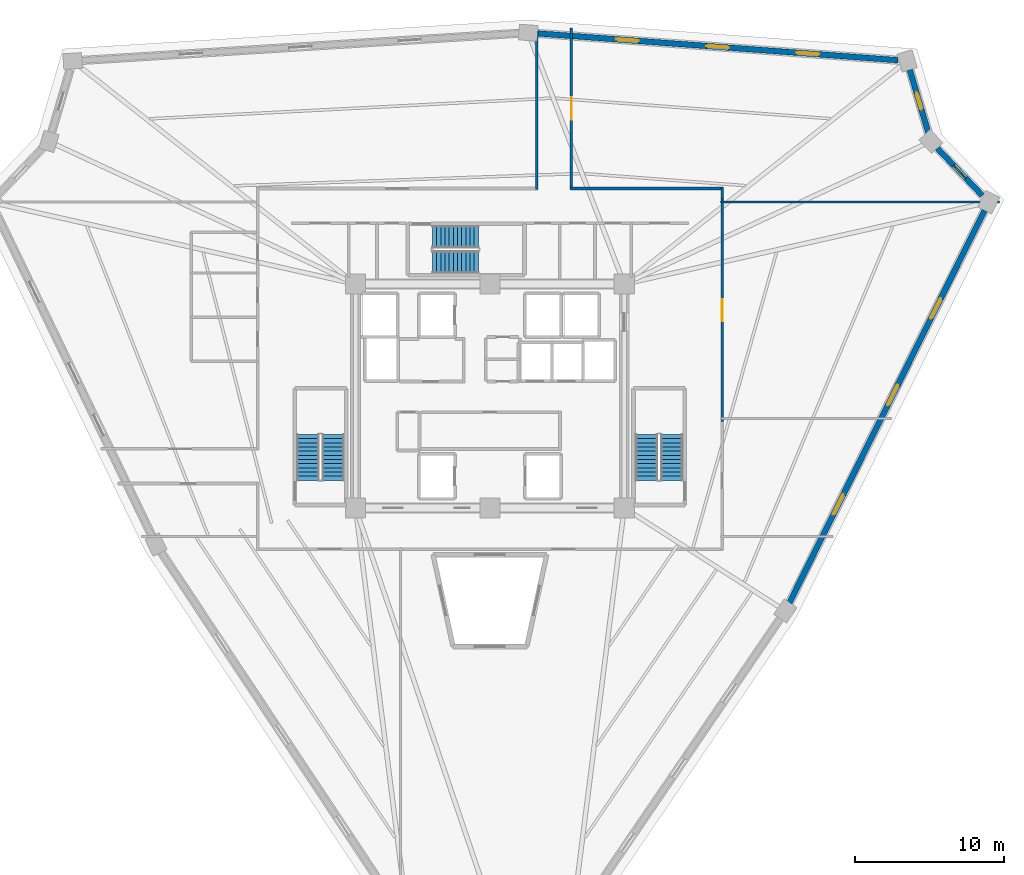
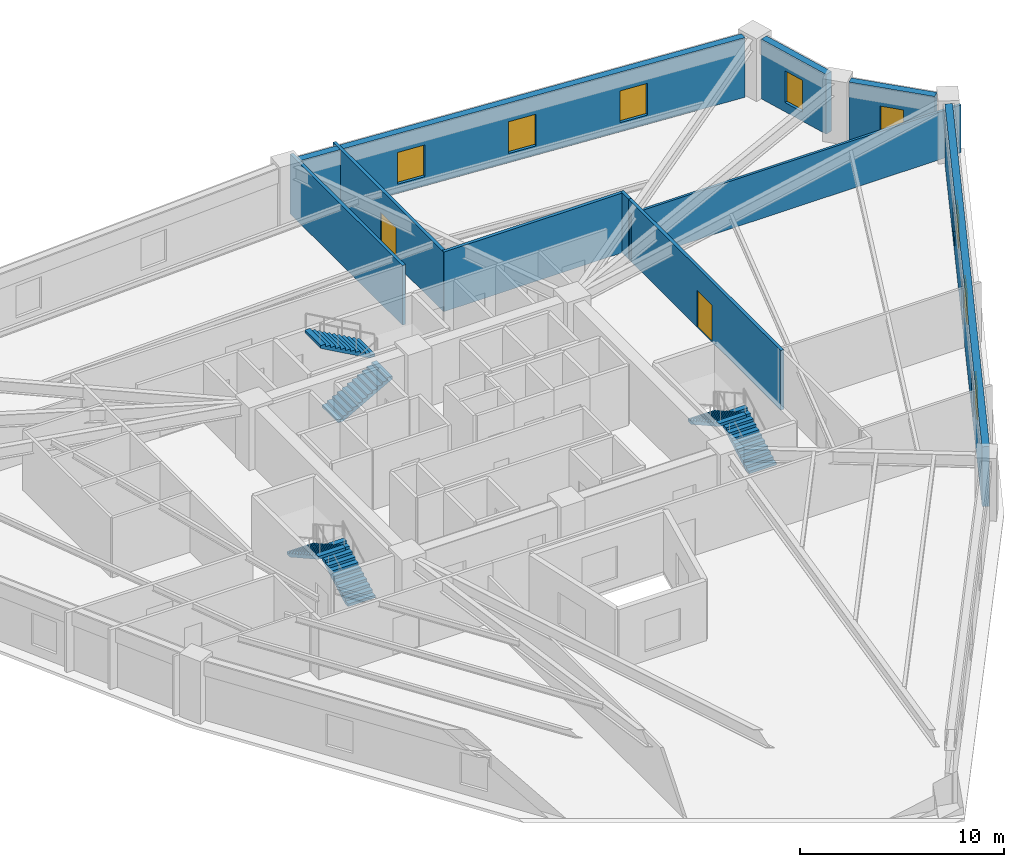
# One storey, part 7 of 8: 10 walls, 8 windows, 6 stair flights, 2 doors, 10 openings, 3 elements without a shape of their own.
"""IFC4 building model written with IfcOpenShell, lengths in metres."""

import ifcopenshell
import ifcopenshell.guid

model = None  # the IFC model being written
_history = None  # IfcOwnerHistory: only IFC2X3 demands one
_inside = {}  # id of a spatial element -> (the spatial element, [elements in it])
_under = {}  # id of a project, library or spatial element -> (it, [spatial elements below it])
_declared = {}  # id of a project -> (the project, [libraries it declares])
_typed = {}  # id of a type object -> (the type object, [elements of that type])
_made_of = {}  # id of a material, layer set ... -> (it, [elements and type objects made of it])


def new_model(schema):
    """Start an empty IFC model of exactly this schema.

    Asked for "IFC4X3", IfcOpenShell would pick the latest addendum, in which some entities
    have other attributes; the version numbers below select the first issue.
    IFC2X3 requires an IfcOwnerHistory on every rooted entity: one is made here for all.
    """
    global model, _history
    if schema == "IFC4X3":
        model = ifcopenshell.file(schema_version=(4, 3, 0, 0))
    else:
        model = ifcopenshell.file(schema=schema)
    _inside.clear()
    _under.clear()
    _declared.clear()
    _typed.clear()
    _made_of.clear()
    _history = None
    if model.schema == "IFC2X3":
        org = make("IfcOrganization", Name="unknown")
        user = make(
            "IfcPersonAndOrganization",
            ThePerson=make("IfcPerson", FamilyName="unknown"),
            TheOrganization=org,
        )
        app = make(
            "IfcApplication",
            ApplicationDeveloper=org,
            Version="unknown",
            ApplicationFullName="unknown",
            ApplicationIdentifier="unknown",
        )
        _history = make(
            "IfcOwnerHistory",
            OwningUser=user,
            OwningApplication=app,
            ChangeAction="ADDED",
            CreationDate=0,
        )
    return model


def make(cls, **values):
    """One entity of the class cls with the attributes given. An attribute that is None is left unset."""
    return model.create_entity(
        cls, **{name: value for name, value in values.items() if value is not None}
    )


def rooted(cls, **values):
    """An entity with a GlobalId (a new one), such as an element, a storey or a relation."""
    return make(cls, GlobalId=ifcopenshell.guid.new(), OwnerHistory=_history, **values)


def si_unit(unit_type, name, prefix=None):
    """IfcSIUnit, for example si_unit("LENGTHUNIT", "METRE", prefix="MILLI")."""
    return make("IfcSIUnit", UnitType=unit_type, Prefix=prefix, Name=name)


def assignment(units):
    """IfcUnitAssignment: the units of a project."""
    return None if units is None else make("IfcUnitAssignment", Units=units)


def point(xyz):
    """IfcCartesianPoint."""
    return None if xyz is None else make("IfcCartesianPoint", Coordinates=xyz)


def direction(xyz):
    """IfcDirection."""
    return None if xyz is None else make("IfcDirection", DirectionRatios=xyz)


def frame(location, z_axis=None, x_axis=None):
    """IfcAxis2Placement3D, a coordinate frame: its origin and axes. An axis left out is left unset."""
    return make(
        "IfcAxis2Placement3D",
        Location=point(location),
        Axis=direction(z_axis),
        RefDirection=direction(x_axis),
    )


def frame_2d(location, x_axis=None):
    """IfcAxis2Placement2D, a coordinate frame in the plane: its origin and x axis."""
    return make(
        "IfcAxis2Placement2D", Location=point(location), RefDirection=direction(x_axis)
    )


def origin():
    """The frame at (0, 0, 0) with its axes left unset."""
    return frame((0.0, 0.0, 0.0))


def place(relative_to, where):
    """IfcLocalPlacement: puts the frame where relative to a parent placement (None: the world)."""
    return make(
        "IfcLocalPlacement", PlacementRelTo=relative_to, RelativePlacement=where
    )


def context(
    kind, dimensions, precision=None, world=None, true_north=None, identifier=None
):
    """IfcGeometricRepresentationContext, for example the 3D "Model" context."""
    return make(
        "IfcGeometricRepresentationContext",
        ContextIdentifier=identifier,
        ContextType=kind,
        CoordinateSpaceDimension=dimensions,
        Precision=precision,
        WorldCoordinateSystem=world,
        TrueNorth=true_north,
    )


def subcontext(parent, identifier, kind, view, scale=None):
    """IfcGeometricRepresentationSubContext, for example "Body" below "Model"."""
    return make(
        "IfcGeometricRepresentationSubContext",
        ContextIdentifier=identifier,
        ContextType=kind,
        ParentContext=parent,
        TargetScale=scale,
        TargetView=view,
    )


def project(units=None, contexts=None):
    """IfcProject with its units and contexts."""
    return rooted(
        "IfcProject",
        Name="project",
        RepresentationContexts=contexts,
        UnitsInContext=assignment(units),
    )


def spatial(cls, under=None, at=None, **own):
    """A site, building, storey or space (cls), placed at a placement, below another one or the project."""
    s = rooted(cls, ObjectPlacement=at, **own)
    if under is not None:
        _under.setdefault(under.id(), (under, []))[1].append(s)
    return s


def polyline(points):
    """IfcPolyline through the points."""
    return make("IfcPolyline", Points=[point(p) for p in points])


def profile(cls, at=None, kind="AREA", **sizes):
    """A parametric profile (cls). Its sizes go by their IFC names, for example OverallWidth=200.0."""
    return make(cls, ProfileType=kind, Position=at, **sizes)


def rectangle(**sizes):
    """IfcRectangleProfileDef."""
    return profile("IfcRectangleProfileDef", **sizes)


def outline(outer, holes=None, kind="AREA"):
    """IfcArbitraryClosedProfileDef: a profile drawn as a closed curve; with holes, ...WithVoids."""
    if holes is None:
        return make("IfcArbitraryClosedProfileDef", ProfileType=kind, OuterCurve=outer)
    return make(
        "IfcArbitraryProfileDefWithVoids",
        ProfileType=kind,
        OuterCurve=outer,
        InnerCurves=holes,
    )


def extrude(swept, where, along, depth):
    """IfcExtrudedAreaSolid: the profile swept, set in the frame where, extruded along a direction by depth."""
    return make(
        "IfcExtrudedAreaSolid",
        SweptArea=swept,
        Position=where,
        ExtrudedDirection=direction(along),
        Depth=depth,
    )


def shape(context_of_items, identifier, shape_type, items):
    """IfcShapeRepresentation: the items that make up one representation, for example the "Body"."""
    return make(
        "IfcShapeRepresentation",
        ContextOfItems=context_of_items,
        RepresentationIdentifier=identifier,
        RepresentationType=shape_type,
        Items=items,
    )


def source(mapping_origin, context_of_items, identifier, shape_type, items):
    """IfcRepresentationMap: a shape defined once, which mapped items show again and again."""
    return make(
        "IfcRepresentationMap",
        MappingOrigin=mapping_origin,
        MappedRepresentation=shape(context_of_items, identifier, shape_type, items),
    )


def transform(
    local_origin,
    x_axis=None,
    y_axis=None,
    z_axis=None,
    scale=None,
    scale2=None,
    scale3=None,
    uniform=True,
):
    """IfcCartesianTransformationOperator3D, or its non-uniform kind. x_axis, y_axis, z_axis: its Axis1, 2, 3."""
    if uniform:
        return make(
            "IfcCartesianTransformationOperator3D",
            Axis1=direction(x_axis),
            Axis2=direction(y_axis),
            LocalOrigin=point(local_origin),
            Scale=scale,
            Axis3=direction(z_axis),
        )
    return make(
        "IfcCartesianTransformationOperator3DnonUniform",
        Axis1=direction(x_axis),
        Axis2=direction(y_axis),
        LocalOrigin=point(local_origin),
        Scale=scale,
        Axis3=direction(z_axis),
        Scale2=scale2,
        Scale3=scale3,
    )


def mapped(mapping_source, mapping_target):
    """IfcMappedItem: shows the shape of a source again, moved by a transform."""
    return make(
        "IfcMappedItem", MappingSource=mapping_source, MappingTarget=mapping_target
    )


def material(Name=None, Category=None):
    """IfcMaterial."""
    return make("IfcMaterial", Name=Name, Category=Category)


def layer(
    of_material, thickness, ventilated=None, Name=None, Category=None, Priority=None
):
    """IfcMaterialLayer: one layer of a wall or slab, of a material (None: an air gap)."""
    return make(
        "IfcMaterialLayer",
        Material=of_material,
        LayerThickness=thickness,
        IsVentilated=ventilated,
        Name=Name,
        Category=Category,
        Priority=Priority,
    )


def layer_set(layers, Name=None):
    """IfcMaterialLayerSet."""
    return make("IfcMaterialLayerSet", MaterialLayers=layers, LayerSetName=Name)


def made_of(thing, what):
    """Note that an element or type object is made of a material, layer set ...; save() writes the relation."""
    if what is not None:
        _made_of.setdefault(what.id(), (what, []))[1].append(thing)
    return thing


def type_object(cls, material=None, **own):
    """A type object (cls), such as IfcWallType, which elements share."""
    return made_of(rooted(cls, **own), material)


def element(
    cls,
    number,
    at=None,
    inside=None,
    cuts=None,
    type_object=None,
    material=None,
    context=None,
    identifier="Body",
    shape_type=None,
    held_by="IfcProductDefinitionShape",
    body=None,
    shapes=None,
    **own,
):
    """One element of the class cls, such as IfcWall. Its Tag is "e" and its number.

    at: its placement. inside: the storey or other place that contains it. cuts: it is an
    opening in that element (IfcRelVoidsElement). A single representation is given by context,
    identifier, shape_type and body (its items); several are given by shapes. held_by: the class
    of the entity that holds the representations. save() writes the other relations.
    """
    e = rooted(cls, Tag="e%d" % number, ObjectPlacement=at, **own)
    if body is not None:
        shapes = [shape(context, identifier, shape_type, body)]
    if shapes is not None:
        e.Representation = make(held_by, Representations=shapes)
    if inside is not None:
        _inside.setdefault(inside.id(), (inside, []))[1].append(e)
    if cuts is not None:
        rooted(
            "IfcRelVoidsElement", RelatingBuildingElement=cuts, RelatedOpeningElement=e
        )
    if type_object is not None:
        _typed.setdefault(type_object.id(), (type_object, []))[1].append(e)
    return made_of(e, material)


def fill(opening, filler):
    """IfcRelFillsElement: the door or window that sits in an opening."""
    return rooted(
        "IfcRelFillsElement",
        RelatingOpeningElement=opening,
        RelatedBuildingElement=filler,
    )


def aggregate(whole, parts):
    """IfcRelAggregates: a whole, such as a stair, and the parts it consists of."""
    return rooted("IfcRelAggregates", RelatingObject=whole, RelatedObjects=parts)


def save(model, path):
    """Write the relations noted so far, then the file.

    IfcRelAggregates (storeys below a building ...), IfcRelContainedInSpatialStructure (elements
    in a storey), IfcRelDefinesByType, IfcRelAssociatesMaterial and IfcRelDeclares: one each for
    every whole, place, type object, material and project.
    """
    for whole, parts in _under.values():
        aggregate(whole, parts)
    for where, things in _inside.values():
        rooted(
            "IfcRelContainedInSpatialStructure",
            RelatedElements=things,
            RelatingStructure=where,
        )
    for kind, things in _typed.values():
        rooted("IfcRelDefinesByType", RelatedObjects=things, RelatingType=kind)
    for what, things in _made_of.values():
        rooted("IfcRelAssociatesMaterial", RelatedObjects=things, RelatingMaterial=what)
    for by, libraries in _declared.values():
        rooted("IfcRelDeclares", RelatingContext=by, RelatedDefinitions=libraries)
    model.write(path)


model = new_model("IFC4")

# Units and contexts
model_context = context("Model", 3, precision=1e-05, world=origin(), true_north=direction((0.0, 1.0)))
body_context = subcontext(model_context, "Body", "Model", "MODEL_VIEW")
ifc_project = project(units=[si_unit("LENGTHUNIT", "METRE"), si_unit("AREAUNIT", "SQUARE_METRE"), si_unit("VOLUMEUNIT", "CUBIC_METRE"), si_unit("PLANEANGLEUNIT", "RADIAN"), si_unit("MASSUNIT", "GRAM", prefix="KILO")], contexts=[model_context])

# Site, building, storey
site_placement = place(None, origin())
site = spatial("IfcSite", under=ifc_project, at=site_placement, CompositionType="ELEMENT")
building_placement = place(site_placement, origin())
building = spatial("IfcBuilding", under=site, at=building_placement, Name="Liaohun Quay Tower", CompositionType="ELEMENT")
storey_placement = place(building_placement, frame((0.0, 0.0, 213.0)))
storey = spatial("IfcBuildingStorey", under=building, at=storey_placement, Name="L55", CompositionType="ELEMENT", Elevation=213.0)

# Wall, openings, windows
ifc_material_1 = material(Name="Precast concrete C50 insulated sandwich", Category="concrete")
ifc_layer_1 = layer(ifc_material_1, 0.3798828125, Name="Precast concrete C50 insulated sandwich", Category="concrete")
ifc_layer_set_1 = layer_set([ifc_layer_1], Name="Precast concrete C50 insulated sandwich")
wall_type_1 = type_object("IfcWallType", Name="WAL-EXT-Z34", PredefinedType="SOLIDWALL", material=ifc_layer_set_1)
wall_1_placement = place(storey_placement, frame((80.069091796875, 40.156005859375, 0.0), z_axis=(0.0, 0.0, 1.0), x_axis=(0.445352625388, 0.895355258576, 0.0)))
wall_1 = element("IfcWall", 1, at=wall_1_placement, inside=storey, type_object=wall_type_1, Name="L55 Brutalist Precast Pier Wall 03", PredefinedType="SOLIDWALL", context=body_context, shape_type="SweptSolid", body=[
    extrude(rectangle(XDim=29.349365234375, YDim=0.3798828125, at=frame_2d((14.6748046875, 0.0))), origin(), (0.0, 0.0, 1.0), 3.570068359375),
])
shared_shape_1 = source(origin(), body_context, "Body", "SweptSolid", [
    extrude(rectangle(XDim=1.5, YDim=1.89990234375, at=frame_2d((0.75, 0.949951171875))), frame((0.0, 0.199951171875, 0.0), z_axis=(0.0, -1.0, 0.0), x_axis=(1.0, 0.0, 0.0)), (0.0, 0.0, 1.0), 0.39990234375),
])
opening_1_placement = place(wall_1_placement, frame((6.5869140625, 0.0, 0.550048828125)))
opening_1 = element("IfcOpeningElement", 2, at=opening_1_placement, cuts=wall_1, Name="Opening W03", PredefinedType="OPENING", context=body_context, shape_type="MappedRepresentation", body=[
    mapped(shared_shape_1, transform((0.0, 0.0, 0.0), x_axis=(1.0, 0.0, 0.0), y_axis=(0.0, 1.0, 0.0), z_axis=(0.0, 0.0, 1.0), scale=1.0)),
])
opening_2_placement = place(wall_1_placement, frame((14.77490234375, 0.0, 0.550048828125)))
opening_2 = element("IfcOpeningElement", 3, at=opening_2_placement, cuts=wall_1, Name="Opening W03", PredefinedType="OPENING", context=body_context, shape_type="MappedRepresentation", body=[
    mapped(shared_shape_1, transform((0.0, 0.0, 0.0), x_axis=(1.0, 0.0, 0.0), y_axis=(0.0, 1.0, 0.0), z_axis=(0.0, 0.0, 1.0), scale=1.0)),
])
opening_3_placement = place(wall_1_placement, frame((21.261962890625, 0.0, 0.550048828125)))
opening_3 = element("IfcOpeningElement", 4, at=opening_3_placement, cuts=wall_1, Name="Opening W03", PredefinedType="OPENING", context=body_context, shape_type="MappedRepresentation", body=[
    mapped(shared_shape_1, transform((0.0, 0.0, 0.0), x_axis=(1.0, 0.0, 0.0), y_axis=(0.0, 1.0, 0.0), z_axis=(0.0, 0.0, 1.0), scale=1.0)),
])
ifc_material_2 = material(Name="Triple Low-E argon glazing in thermally broken aluminium", Category="aluminium")
window_type_1 = type_object("IfcWindowType", Name="WIN-PUN-Z3", PartitioningType="DOUBLE_PANEL_VERTICAL", PredefinedType="WINDOW", material=ifc_material_2)
shared_shape_2 = source(origin(), body_context, "Body", "SweptSolid", [
    extrude(rectangle(XDim=1.5, YDim=1.89990234375, at=frame_2d((0.75, 0.949951171875))), frame((0.0, 0.030029296875, 0.0), z_axis=(0.0, -1.0, 0.0), x_axis=(1.0, 0.0, 0.0)), (0.0, 0.0, 1.0), 0.06005859375),
])
window_1_placement = place(opening_1_placement, origin())
window_1 = element("IfcWindow", 5, at=window_1_placement, inside=storey, type_object=window_type_1, Name="L55 Recessed Cold-Climate Punched Window 03-1", OverallHeight=1.89990234375, OverallWidth=1.5, PartitioningType="DOUBLE_PANEL_VERTICAL", PredefinedType="WINDOW", context=body_context, shape_type="MappedRepresentation", body=[
    mapped(shared_shape_2, transform((0.0, 0.0, 0.0), x_axis=(1.0, 0.0, 0.0), y_axis=(0.0, 1.0, 0.0), z_axis=(0.0, 0.0, 1.0), scale=1.0)),
])
fill(opening_1, window_1)
window_2_placement = place(opening_2_placement, origin())
window_2 = element("IfcWindow", 6, at=window_2_placement, inside=storey, type_object=window_type_1, Name="L55 Recessed Cold-Climate Punched Window 03-2", OverallHeight=1.89990234375, OverallWidth=1.5, PartitioningType="DOUBLE_PANEL_VERTICAL", PredefinedType="WINDOW", context=body_context, shape_type="MappedRepresentation", body=[
    mapped(shared_shape_2, transform((0.0, 0.0, 0.0), x_axis=(1.0, 0.0, 0.0), y_axis=(0.0, 1.0, 0.0), z_axis=(0.0, 0.0, 1.0), scale=1.0)),
])
fill(opening_2, window_2)
window_3_placement = place(opening_3_placement, origin())
window_3 = element("IfcWindow", 7, at=window_3_placement, inside=storey, type_object=window_type_1, Name="L55 Recessed Cold-Climate Punched Window 03-3", OverallHeight=1.89990234375, OverallWidth=1.5, PartitioningType="DOUBLE_PANEL_VERTICAL", PredefinedType="WINDOW", context=body_context, shape_type="MappedRepresentation", body=[
    mapped(shared_shape_2, transform((0.0, 0.0, 0.0), x_axis=(1.0, 0.0, 0.0), y_axis=(0.0, 1.0, 0.0), z_axis=(0.0, 0.0, 1.0), scale=1.0)),
])
fill(opening_3, window_3)

# Wall, opening, window
wall_2_placement = place(storey_placement, frame((92.989990234375, 67.430908203125, 0.0), z_axis=(0.0, 0.0, 1.0), x_axis=(-0.689446721654, 0.724336398368, 0.0)))
wall_2 = element("IfcWall", 8, at=wall_2_placement, inside=storey, type_object=wall_type_1, Name="L55 Brutalist Precast Pier Wall 04", PredefinedType="SOLIDWALL", context=body_context, shape_type="SweptSolid", body=[
    extrude(rectangle(XDim=4.387451171875, YDim=0.3798828125, at=frame_2d((2.19384765625, 0.0))), origin(), (0.0, 0.0, 1.0), 3.570068359375),
])
shared_shape_3 = source(origin(), body_context, "Body", "SweptSolid", [
    extrude(rectangle(XDim=1.199951171875, YDim=1.89990234375, at=frame_2d((0.60009765625, 0.949951171875))), frame((0.0, 0.199951171875, 0.0), z_axis=(0.0, -1.0, 0.0), x_axis=(1.0, 0.0, 0.0)), (0.0, 0.0, 1.0), 0.39990234375),
])
opening_4_placement = place(wall_2_placement, frame((1.593994140625, 0.0, 0.550048828125)))
opening_4 = element("IfcOpeningElement", 9, at=opening_4_placement, cuts=wall_2, Name="Opening W05", PredefinedType="OPENING", context=body_context, shape_type="MappedRepresentation", body=[
    mapped(shared_shape_3, transform((0.0, 0.0, 0.0), x_axis=(1.0, 0.0, 0.0), y_axis=(0.0, 1.0, 0.0), z_axis=(0.0, 0.0, 1.0), scale=1.0)),
])
ifc_material_3 = material(Name="Triple Low-E corner notch glazing", Category="glass")
window_type_2 = type_object("IfcWindowType", Name="WIN-NOTCH", PartitioningType="SINGLE_PANEL", PredefinedType="WINDOW", material=ifc_material_3)
shared_shape_4 = source(origin(), body_context, "Body", "SweptSolid", [
    extrude(rectangle(XDim=1.199951171875, YDim=1.89990234375, at=frame_2d((0.60009765625, 0.949951171875))), frame((0.0, 0.030029296875, 0.0), z_axis=(0.0, -1.0, 0.0), x_axis=(1.0, 0.0, 0.0)), (0.0, 0.0, 1.0), 0.06005859375),
])
window_4_placement = place(opening_4_placement, origin())
window_4 = element("IfcWindow", 10, at=window_4_placement, inside=storey, type_object=window_type_2, Name="L55 Corner Notch Window W05-04", OverallHeight=1.89990234375, OverallWidth=1.199951171875, PartitioningType="SINGLE_PANEL", PredefinedType="WINDOW", context=body_context, shape_type="MappedRepresentation", body=[
    mapped(shared_shape_4, transform((0.0, 0.0, 0.0), x_axis=(1.0, 0.0, 0.0), y_axis=(0.0, 1.0, 0.0), z_axis=(0.0, 0.0, 1.0), scale=1.0)),
])
fill(opening_4, window_4)

wall_3_placement = place(storey_placement, frame((89.366943359375, 71.64501953125, 0.0), z_axis=(0.0, 0.0, 1.0), x_axis=(-0.282713462933, 0.959204408808, 0.0)))
wall_3 = element("IfcWall", 11, at=wall_3_placement, inside=storey, type_object=wall_type_1, Name="L55 Brutalist Precast Pier Wall 05", PredefinedType="SOLIDWALL", context=body_context, shape_type="SweptSolid", body=[
    extrude(rectangle(XDim=4.396484375, YDim=0.3798828125, at=frame_2d((2.1982421875, 0.0))), origin(), (0.0, 0.0, 1.0), 3.570068359375),
])
opening_5_placement = place(wall_3_placement, frame((1.597900390625, 0.0, 0.550048828125)))
opening_5 = element("IfcOpeningElement", 12, at=opening_5_placement, cuts=wall_3, Name="Opening W05", PredefinedType="OPENING", context=body_context, shape_type="MappedRepresentation", body=[
    mapped(shared_shape_3, transform((0.0, 0.0, 0.0), x_axis=(1.0, 0.0, 0.0), y_axis=(0.0, 1.0, 0.0), z_axis=(0.0, 0.0, 1.0), scale=1.0)),
])
window_5_placement = place(opening_5_placement, origin())
window_5 = element("IfcWindow", 13, at=window_5_placement, inside=storey, type_object=window_type_2, Name="L55 Corner Notch Window W05-05", OverallHeight=1.89990234375, OverallWidth=1.199951171875, PartitioningType="SINGLE_PANEL", PredefinedType="WINDOW", context=body_context, shape_type="MappedRepresentation", body=[
    mapped(shared_shape_4, transform((0.0, 0.0, 0.0), x_axis=(1.0, 0.0, 0.0), y_axis=(0.0, 1.0, 0.0), z_axis=(0.0, 0.0, 1.0), scale=1.0)),
])
fill(opening_5, window_5)

# Wall, openings, windows
wall_4_placement = place(storey_placement, frame((87.3369140625, 76.498046875, 0.0), z_axis=(0.0, 0.0, 1.0), x_axis=(-0.997247530885, 0.074144198316, 0.0)))
wall_4 = element("IfcWall", 14, at=wall_4_placement, inside=storey, type_object=wall_type_1, Name="L55 Brutalist Precast Pier Wall 06", PredefinedType="SOLIDWALL", context=body_context, shape_type="SweptSolid", body=[
    extrude(rectangle(XDim=24.2216796875, YDim=0.3798828125, at=frame_2d((12.11083984375, 0.0))), origin(), (0.0, 0.0, 1.0), 3.570068359375),
])
opening_6_placement = place(wall_4_placement, frame((5.304931640625, 0.0, 0.550048828125)))
opening_6 = element("IfcOpeningElement", 15, at=opening_6_placement, cuts=wall_4, Name="Opening W03", PredefinedType="OPENING", context=body_context, shape_type="MappedRepresentation", body=[
    mapped(shared_shape_1, transform((0.0, 0.0, 0.0), x_axis=(1.0, 0.0, 0.0), y_axis=(0.0, 1.0, 0.0), z_axis=(0.0, 0.0, 1.0), scale=1.0)),
])
opening_7_placement = place(wall_4_placement, frame((11.361083984375, 0.0, 0.550048828125)))
opening_7 = element("IfcOpeningElement", 16, at=opening_7_placement, cuts=wall_4, Name="Opening W03", PredefinedType="OPENING", context=body_context, shape_type="MappedRepresentation", body=[
    mapped(shared_shape_1, transform((0.0, 0.0, 0.0), x_axis=(1.0, 0.0, 0.0), y_axis=(0.0, 1.0, 0.0), z_axis=(0.0, 0.0, 1.0), scale=1.0)),
])
opening_8_placement = place(wall_4_placement, frame((17.416015625, 0.0, 0.550048828125)))
opening_8 = element("IfcOpeningElement", 17, at=opening_8_placement, cuts=wall_4, Name="Opening W03", PredefinedType="OPENING", context=body_context, shape_type="MappedRepresentation", body=[
    mapped(shared_shape_1, transform((0.0, 0.0, 0.0), x_axis=(1.0, 0.0, 0.0), y_axis=(0.0, 1.0, 0.0), z_axis=(0.0, 0.0, 1.0), scale=1.0)),
])
window_6_placement = place(opening_6_placement, origin())
window_6 = element("IfcWindow", 18, at=window_6_placement, inside=storey, type_object=window_type_1, Name="L55 Recessed Cold-Climate Punched Window 06-1", OverallHeight=1.89990234375, OverallWidth=1.5, PartitioningType="DOUBLE_PANEL_VERTICAL", PredefinedType="WINDOW", context=body_context, shape_type="MappedRepresentation", body=[
    mapped(shared_shape_2, transform((0.0, 0.0, 0.0), x_axis=(1.0, 0.0, 0.0), y_axis=(0.0, 1.0, 0.0), z_axis=(0.0, 0.0, 1.0), scale=1.0)),
])
fill(opening_6, window_6)
window_7_placement = place(opening_7_placement, origin())
window_7 = element("IfcWindow", 19, at=window_7_placement, inside=storey, type_object=window_type_1, Name="L55 Recessed Cold-Climate Punched Window 06-2", OverallHeight=1.89990234375, OverallWidth=1.5, PartitioningType="DOUBLE_PANEL_VERTICAL", PredefinedType="WINDOW", context=body_context, shape_type="MappedRepresentation", body=[
    mapped(shared_shape_2, transform((0.0, 0.0, 0.0), x_axis=(1.0, 0.0, 0.0), y_axis=(0.0, 1.0, 0.0), z_axis=(0.0, 0.0, 1.0), scale=1.0)),
])
fill(opening_7, window_7)
window_8_placement = place(opening_8_placement, origin())
window_8 = element("IfcWindow", 20, at=window_8_placement, inside=storey, type_object=window_type_1, Name="L55 Recessed Cold-Climate Punched Window 06-3", OverallHeight=1.89990234375, OverallWidth=1.5, PartitioningType="DOUBLE_PANEL_VERTICAL", PredefinedType="WINDOW", context=body_context, shape_type="MappedRepresentation", body=[
    mapped(shared_shape_2, transform((0.0, 0.0, 0.0), x_axis=(1.0, 0.0, 0.0), y_axis=(0.0, 1.0, 0.0), z_axis=(0.0, 0.0, 1.0), scale=1.0)),
])
fill(opening_8, window_8)

# Wall, opening, door
ifc_material_4 = material(Name="Autoclaved aerated concrete blockwork", Category="masonry")
ifc_layer_2 = layer(ifc_material_4, 0.179931640625, Name="Autoclaved aerated concrete blockwork", Category="masonry")
ifc_layer_set_2 = layer_set([ifc_layer_2], Name="Autoclaved aerated concrete blockwork")
wall_type_2 = type_object("IfcWallType", Name="WAL-PRT-COR", PredefinedType="PARTITIONING", material=ifc_layer_set_2)
wall_5_placement = place(storey_placement, frame((75.56005859375, 67.215087890625, 0.0), z_axis=(0.0, 0.0, 1.0), x_axis=(0.0, -1.0, 0.0)))
wall_5 = element("IfcWall", 21, at=wall_5_placement, inside=storey, type_object=wall_type_2, Name="L55 Interior Partition Wall 016", PredefinedType="PARTITIONING", context=body_context, shape_type="SweptSolid", body=[
    extrude(rectangle(XDim=14.93017578125, YDim=0.179931640625, at=frame_2d((7.465087890625, 0.0))), origin(), (0.0, 0.0, 1.0), 3.570068359375),
])
shared_shape_5 = source(origin(), body_context, "Body", "SweptSolid", [
    extrude(rectangle(XDim=1.5, YDim=2.199951171875, at=frame_2d((0.75, 1.10009765625))), frame((0.0, 0.099853515625, 0.0), z_axis=(0.0, -1.0, 0.0), x_axis=(1.0, 0.0, 0.0)), (0.0, 0.0, 1.0), 0.199951171875),
])
opening_9_placement = place(wall_5_placement, frame((6.715087890625, 0.0, 0.0)))
opening_9 = element("IfcOpeningElement", 22, at=opening_9_placement, cuts=wall_5, Name="Opening OD2", PredefinedType="OPENING", context=body_context, shape_type="MappedRepresentation", body=[
    mapped(shared_shape_5, transform((0.0, 0.0, 0.0), x_axis=(1.0, 0.0, 0.0), y_axis=(0.0, 1.0, 0.0), z_axis=(0.0, 0.0, 1.0), scale=1.0)),
])
ifc_material_5 = material(Name="Acoustic oak veneer double door")
door_type = type_object("IfcDoorType", Name="DOR-OFF-1500", OperationType="DOUBLE_DOOR_SINGLE_SWING", PredefinedType="DOOR", material=ifc_material_5)
shared_shape_6 = source(origin(), body_context, "Body", "SweptSolid", [
    extrude(rectangle(XDim=1.5, YDim=2.199951171875, at=frame_2d((0.75, 1.10009765625))), frame((0.0, 0.02490234375, 0.0), z_axis=(0.0, -1.0, 0.0), x_axis=(1.0, 0.0, 0.0)), (0.0, 0.0, 1.0), 0.050048828125),
])
door_1_placement = place(opening_9_placement, origin())
door_1 = element("IfcDoor", 23, at=door_1_placement, inside=storey, type_object=door_type, Name="L55 Staff Daycare Nursery 01 Door", OperationType="DOUBLE_DOOR_SINGLE_SWING", OverallHeight=2.199951171875, OverallWidth=1.5, PredefinedType="DOOR", context=body_context, shape_type="MappedRepresentation", body=[
    mapped(shared_shape_6, transform((0.0, 0.0, 0.0), x_axis=(1.0, 0.0, 0.0), y_axis=(0.0, 1.0, 0.0), z_axis=(0.0, 0.0, 1.0), scale=1.0)),
])
fill(opening_9, door_1)

wall_6_placement = place(storey_placement, frame((65.4599609375, 78.666015625, 0.0), z_axis=(0.0, 0.0, 1.0), x_axis=(0.0, -1.0, 0.0)))
wall_6 = element("IfcWall", 24, at=wall_6_placement, inside=storey, type_object=wall_type_2, Name="L55 Interior Partition Wall 017", PredefinedType="PARTITIONING", context=body_context, shape_type="SweptSolid", body=[
    extrude(rectangle(XDim=10.825927734375, YDim=0.179931640625, at=frame_2d((5.4130859375, 0.0))), origin(), (0.0, 0.0, 1.0), 3.570068359375),
])
opening_10_placement = place(wall_6_placement, frame((4.6630859375, 0.0, 0.0)))
opening_10 = element("IfcOpeningElement", 25, at=opening_10_placement, cuts=wall_6, Name="Opening OD2", PredefinedType="OPENING", context=body_context, shape_type="MappedRepresentation", body=[
    mapped(shared_shape_5, transform((0.0, 0.0, 0.0), x_axis=(1.0, 0.0, 0.0), y_axis=(0.0, 1.0, 0.0), z_axis=(0.0, 0.0, 1.0), scale=1.0)),
])
door_2_placement = place(opening_10_placement, origin())
door_2 = element("IfcDoor", 26, at=door_2_placement, inside=storey, type_object=door_type, Name="L55 Client Collaboration Lounge 02 Door", OperationType="DOUBLE_DOOR_SINGLE_SWING", OverallHeight=2.199951171875, OverallWidth=1.5, PredefinedType="DOOR", context=body_context, shape_type="MappedRepresentation", body=[
    mapped(shared_shape_6, transform((0.0, 0.0, 0.0), x_axis=(1.0, 0.0, 0.0), y_axis=(0.0, 1.0, 0.0), z_axis=(0.0, 0.0, 1.0), scale=1.0)),
])
fill(opening_10, door_2)

# Walls
wall_7_placement = place(storey_placement, frame((65.389892578125, 67.909912109375, 0.0), z_axis=(0.0, 0.0, 1.0), x_axis=(1.0, 0.0, 0.0)))
element("IfcWall", 27, at=wall_7_placement, inside=storey, type_object=wall_type_2, Name="L55 Interior Partition Wall 040", PredefinedType="PARTITIONING", context=body_context, shape_type="SweptSolid", body=[
    extrude(rectangle(XDim=10.239990234375, YDim=0.179931640625, at=frame_2d((5.1201171875, 0.0))), origin(), (0.0, 0.0, 1.0), 3.570068359375),
])
wall_8_placement = place(storey_placement, frame((75.56005859375, 67.97998046875, 0.0), z_axis=(0.0, 0.0, 1.0), x_axis=(0.0, -1.0, 0.0)))
element("IfcWall", 28, at=wall_8_placement, inside=storey, type_object=wall_type_2, Name="L55 Interior Partition Wall 041", PredefinedType="PARTITIONING", context=body_context, shape_type="SweptSolid", body=[
    extrude(rectangle(XDim=0.764892578125, YDim=0.179931640625, at=frame_2d((0.38232421875, 0.0))), origin(), (0.0, 0.0, 1.0), 3.570068359375),
])
wall_9_placement = place(storey_placement, frame((63.139892578125, 67.840087890625, 0.0), z_axis=(0.0, 0.0, 1.0), x_axis=(0.0, 1.0, 0.0)))
element("IfcWall", 29, at=wall_9_placement, inside=storey, type_object=wall_type_2, Name="L55 Interior Partition Wall 042", PredefinedType="PARTITIONING", context=body_context, shape_type="SweptSolid", body=[
    extrude(rectangle(XDim=10.9990234375, YDim=0.179931640625, at=frame_2d((5.49951171875, 0.0))), origin(), (0.0, 0.0, 1.0), 3.570068359375),
])
ifc_material_6 = material(Name="Gypsum board on twin steel studs", Category="steel")
ifc_layer_3 = layer(ifc_material_6, 0.139892578125, Name="Gypsum board on twin steel studs", Category="steel")
ifc_layer_set_3 = layer_set([ifc_layer_3], Name="Gypsum board on twin steel studs")
wall_type_3 = type_object("IfcWallType", Name="WAL-PRT-OFF", PredefinedType="PARTITIONING", material=ifc_layer_set_3)
wall_10_placement = place(storey_placement, frame((75.4599609375, 67.0, 0.0), z_axis=(0.0, 0.0, 1.0), x_axis=(1.0, 0.0, 0.0)))
element("IfcWall", 30, at=wall_10_placement, inside=storey, type_object=wall_type_3, Name="L55 Interior Partition Wall 053", PredefinedType="PARTITIONING", context=body_context, shape_type="SweptSolid", body=[
    extrude(rectangle(XDim=18.6650390625, YDim=0.139892578125, at=frame_2d((9.33251953125, 0.0))), origin(), (0.0, 0.0, 1.0), 2.85498046875),
])

# Stair, stair flights
ifc_material_7 = material(Name="Concrete C45", Category="concrete")
stair_type = type_object("IfcStairType", Name="STR-CORE-OFF", PredefinedType="HALF_TURN_STAIR", material=ifc_material_7)
stair_1_placement = place(storey_placement, origin())
stair_1 = element("IfcStair", 31, at=stair_1_placement, inside=storey, type_object=stair_type, Name="L55 Smokeproof Core Exit Stair ST-1", PredefinedType="HALF_TURN_STAIR")
stair_flight_type = type_object("IfcStairFlightType", Name="FLT-CORE-155", PredefinedType="STRAIGHT", material=ifc_material_7)
stair_flight_1_placement = place(storey_placement, frame((49.5048828125, 48.35009765625, 0.0), z_axis=(0.0, 0.0, 1.0), x_axis=(0.0, 1.0, 0.0)))
stair_flight_1 = element("IfcStairFlight", 32, at=stair_flight_1_placement, type_object=stair_flight_type, Name="ST-1 flight 1", NumberOfRisers=12, NumberOfTreads=11, PredefinedType="STRAIGHT", RiserHeight=0.15625, TreadLength=0.28, context=body_context, shape_type="SweptSolid", body=[
    extrude(outline(polyline([(0.0, 0.0), (0.0, 0.15625), (0.280029296875, 0.15625), (0.280029296875, 0.3125), (0.56005859375, 0.3125), (0.56005859375, 0.46875), (0.840087890625, 0.46875), (0.840087890625, 0.625), (1.1201171875, 0.625), (1.1201171875, 0.78125), (1.39990234375, 0.78125), (1.39990234375, 0.9375), (1.679931640625, 0.9375), (1.679931640625, 1.09375), (1.9599609375, 1.09375), (1.9599609375, 1.25), (2.239990234375, 1.25), (2.239990234375, 1.40625), (2.52001953125, 1.40625), (2.52001953125, 1.5625), (2.800048828125, 1.5625), (2.800048828125, 1.71875), (3.080078125, 1.71875), (3.080078125, 1.875), (3.080078125, 1.547119140625), (0.3076171875, 0.0), (0.0, 0.0)])), frame((0.0, 0.77490234375, 0.0), z_axis=(0.0, -1.0, 0.0), x_axis=(1.0, 0.0, 0.0)), (0.0, 0.0, 1.0), 1.550048828125),
])
stair_flight_2_placement = place(storey_placement, frame((47.81494140625, 51.429931640625, 1.875), z_axis=(0.0, 0.0, 1.0), x_axis=(0.0, -1.0, 0.0)))
stair_flight_2 = element("IfcStairFlight", 33, at=stair_flight_2_placement, type_object=stair_flight_type, Name="ST-1 flight 2", NumberOfRisers=12, NumberOfTreads=11, PredefinedType="STRAIGHT", RiserHeight=0.15625, TreadLength=0.28, context=body_context, shape_type="SweptSolid", body=[
    extrude(outline(polyline([(0.0, 0.0), (0.0, 0.15625), (0.280029296875, 0.15625), (0.280029296875, 0.3125), (0.56005859375, 0.3125), (0.56005859375, 0.46875), (0.840087890625, 0.46875), (0.840087890625, 0.625), (1.1201171875, 0.625), (1.1201171875, 0.78125), (1.39990234375, 0.78125), (1.39990234375, 0.9375), (1.679931640625, 0.9375), (1.679931640625, 1.09375), (1.9599609375, 1.09375), (1.9599609375, 1.25), (2.239990234375, 1.25), (2.239990234375, 1.40625), (2.52001953125, 1.40625), (2.52001953125, 1.5625), (2.800048828125, 1.5625), (2.800048828125, 1.71875), (3.080078125, 1.71875), (3.080078125, 1.875), (3.080078125, 1.547119140625), (0.3076171875, 0.0), (0.0, 0.0)])), frame((0.0, 0.77490234375, 0.0), z_axis=(0.0, -1.0, 0.0), x_axis=(1.0, 0.0, 0.0)), (0.0, 0.0, 1.0), 1.550048828125),
])
aggregate(stair_1, [stair_flight_1, stair_flight_2])

stair_2_placement = place(storey_placement, origin())
stair_2 = element("IfcStair", 34, at=stair_2_placement, inside=storey, type_object=stair_type, Name="L55 Smokeproof Core Exit Stair ST-2", PredefinedType="HALF_TURN_STAIR")
stair_flight_3_placement = place(storey_placement, frame((72.18505859375, 48.35009765625, 0.0), z_axis=(0.0, 0.0, 1.0), x_axis=(0.0, 1.0, 0.0)))
stair_flight_3 = element("IfcStairFlight", 35, at=stair_flight_3_placement, type_object=stair_flight_type, Name="ST-2 flight 1", NumberOfRisers=12, NumberOfTreads=11, PredefinedType="STRAIGHT", RiserHeight=0.15625, TreadLength=0.28, context=body_context, shape_type="SweptSolid", body=[
    extrude(outline(polyline([(0.0, 0.0), (0.0, 0.15625), (0.280029296875, 0.15625), (0.280029296875, 0.3125), (0.56005859375, 0.3125), (0.56005859375, 0.46875), (0.840087890625, 0.46875), (0.840087890625, 0.625), (1.1201171875, 0.625), (1.1201171875, 0.78125), (1.39990234375, 0.78125), (1.39990234375, 0.9375), (1.679931640625, 0.9375), (1.679931640625, 1.09375), (1.9599609375, 1.09375), (1.9599609375, 1.25), (2.239990234375, 1.25), (2.239990234375, 1.40625), (2.52001953125, 1.40625), (2.52001953125, 1.5625), (2.800048828125, 1.5625), (2.800048828125, 1.71875), (3.080078125, 1.71875), (3.080078125, 1.875), (3.080078125, 1.547119140625), (0.3076171875, 0.0), (0.0, 0.0)])), frame((0.0, 0.77490234375, 0.0), z_axis=(0.0, -1.0, 0.0), x_axis=(1.0, 0.0, 0.0)), (0.0, 0.0, 1.0), 1.550048828125),
])
stair_flight_4_placement = place(storey_placement, frame((70.4951171875, 51.429931640625, 1.875), z_axis=(0.0, 0.0, 1.0), x_axis=(0.0, -1.0, 0.0)))
stair_flight_4 = element("IfcStairFlight", 36, at=stair_flight_4_placement, type_object=stair_flight_type, Name="ST-2 flight 2", NumberOfRisers=12, NumberOfTreads=11, PredefinedType="STRAIGHT", RiserHeight=0.15625, TreadLength=0.28, context=body_context, shape_type="SweptSolid", body=[
    extrude(outline(polyline([(0.0, 0.0), (0.0, 0.15625), (0.280029296875, 0.15625), (0.280029296875, 0.3125), (0.56005859375, 0.3125), (0.56005859375, 0.46875), (0.840087890625, 0.46875), (0.840087890625, 0.625), (1.1201171875, 0.625), (1.1201171875, 0.78125), (1.39990234375, 0.78125), (1.39990234375, 0.9375), (1.679931640625, 0.9375), (1.679931640625, 1.09375), (1.9599609375, 1.09375), (1.9599609375, 1.25), (2.239990234375, 1.25), (2.239990234375, 1.40625), (2.52001953125, 1.40625), (2.52001953125, 1.5625), (2.800048828125, 1.5625), (2.800048828125, 1.71875), (3.080078125, 1.71875), (3.080078125, 1.875), (3.080078125, 1.547119140625), (0.3076171875, 0.0), (0.0, 0.0)])), frame((0.0, 0.77490234375, 0.0), z_axis=(0.0, -1.0, 0.0), x_axis=(1.0, 0.0, 0.0)), (0.0, 0.0, 1.0), 1.550048828125),
])
aggregate(stair_2, [stair_flight_3, stair_flight_4])

stair_3_placement = place(storey_placement, origin())
stair_3 = element("IfcStair", 37, at=stair_3_placement, inside=storey, type_object=stair_type, Name="L55 Smokeproof Core Exit Stair ST-3", PredefinedType="HALF_TURN_STAIR")
stair_flight_5_placement = place(storey_placement, frame((56.14990234375, 62.97509765625, 0.0), z_axis=(0.0, 0.0, 1.0), x_axis=(1.0, 0.0, 0.0)))
stair_flight_5 = element("IfcStairFlight", 38, at=stair_flight_5_placement, type_object=stair_flight_type, Name="ST-3 flight 1", NumberOfRisers=12, NumberOfTreads=11, PredefinedType="STRAIGHT", RiserHeight=0.15625, TreadLength=0.28, context=body_context, shape_type="SweptSolid", body=[
    extrude(outline(polyline([(0.0, 0.0), (0.0, 0.15625), (0.280029296875, 0.15625), (0.280029296875, 0.3125), (0.56005859375, 0.3125), (0.56005859375, 0.46875), (0.840087890625, 0.46875), (0.840087890625, 0.625), (1.1201171875, 0.625), (1.1201171875, 0.78125), (1.39990234375, 0.78125), (1.39990234375, 0.9375), (1.679931640625, 0.9375), (1.679931640625, 1.09375), (1.9599609375, 1.09375), (1.9599609375, 1.25), (2.239990234375, 1.25), (2.239990234375, 1.40625), (2.52001953125, 1.40625), (2.52001953125, 1.5625), (2.800048828125, 1.5625), (2.800048828125, 1.71875), (3.080078125, 1.71875), (3.080078125, 1.875), (3.080078125, 1.547119140625), (0.3076171875, 0.0), (0.0, 0.0)])), frame((0.0, 0.77490234375, 0.0), z_axis=(0.0, -1.0, 0.0), x_axis=(1.0, 0.0, 0.0)), (0.0, 0.0, 1.0), 1.550048828125),
])
stair_flight_6_placement = place(storey_placement, frame((59.22998046875, 64.6650390625, 1.875), z_axis=(0.0, 0.0, 1.0), x_axis=(-1.0, 0.0, 0.0)))
stair_flight_6 = element("IfcStairFlight", 39, at=stair_flight_6_placement, type_object=stair_flight_type, Name="ST-3 flight 2", NumberOfRisers=12, NumberOfTreads=11, PredefinedType="STRAIGHT", RiserHeight=0.15625, TreadLength=0.28, context=body_context, shape_type="SweptSolid", body=[
    extrude(outline(polyline([(0.0, 0.0), (0.0, 0.15625), (0.280029296875, 0.15625), (0.280029296875, 0.3125), (0.56005859375, 0.3125), (0.56005859375, 0.46875), (0.840087890625, 0.46875), (0.840087890625, 0.625), (1.1201171875, 0.625), (1.1201171875, 0.78125), (1.39990234375, 0.78125), (1.39990234375, 0.9375), (1.679931640625, 0.9375), (1.679931640625, 1.09375), (1.9599609375, 1.09375), (1.9599609375, 1.25), (2.239990234375, 1.25), (2.239990234375, 1.40625), (2.52001953125, 1.40625), (2.52001953125, 1.5625), (2.800048828125, 1.5625), (2.800048828125, 1.71875), (3.080078125, 1.71875), (3.080078125, 1.875), (3.080078125, 1.547119140625), (0.3076171875, 0.0), (0.0, 0.0)])), frame((0.0, 0.77490234375, 0.0), z_axis=(0.0, -1.0, 0.0), x_axis=(1.0, 0.0, 0.0)), (0.0, 0.0, 1.0), 1.550048828125),
])
aggregate(stair_3, [stair_flight_5, stair_flight_6])

save(model, "model.ifc")
